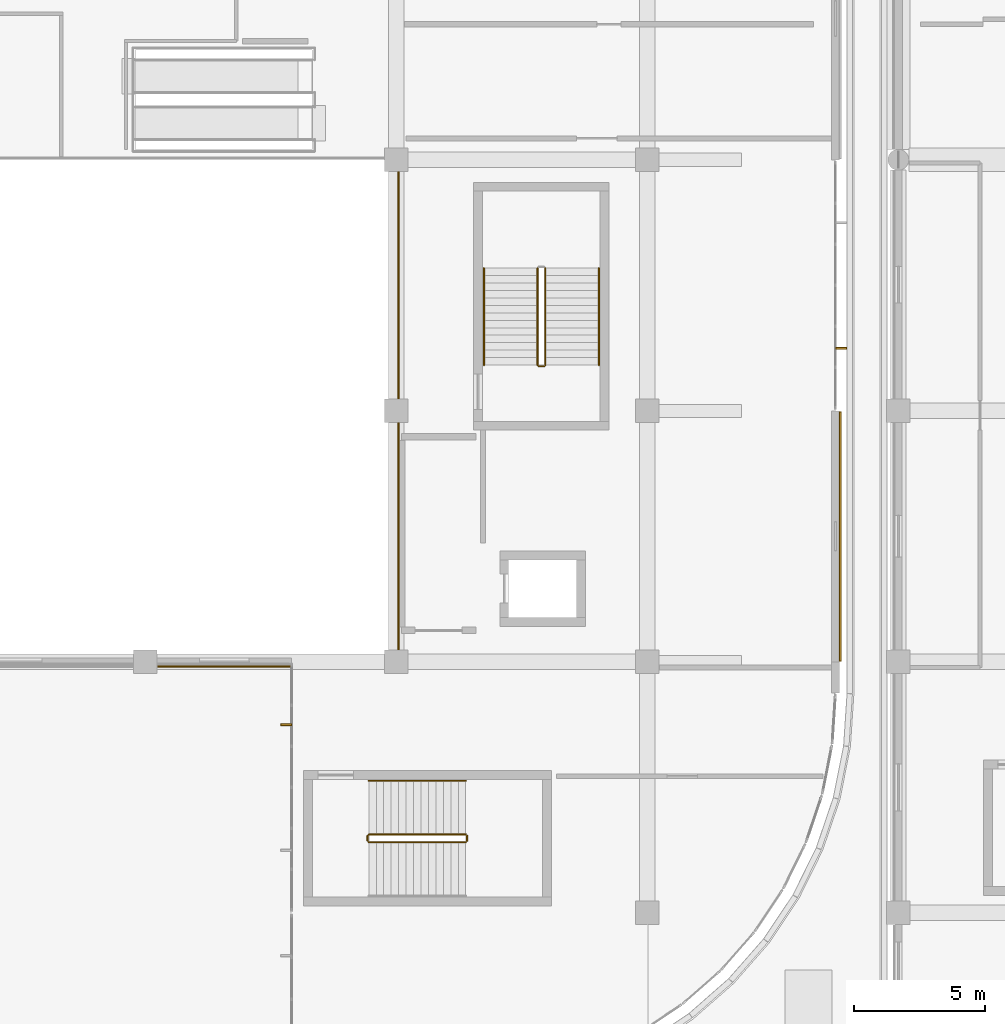
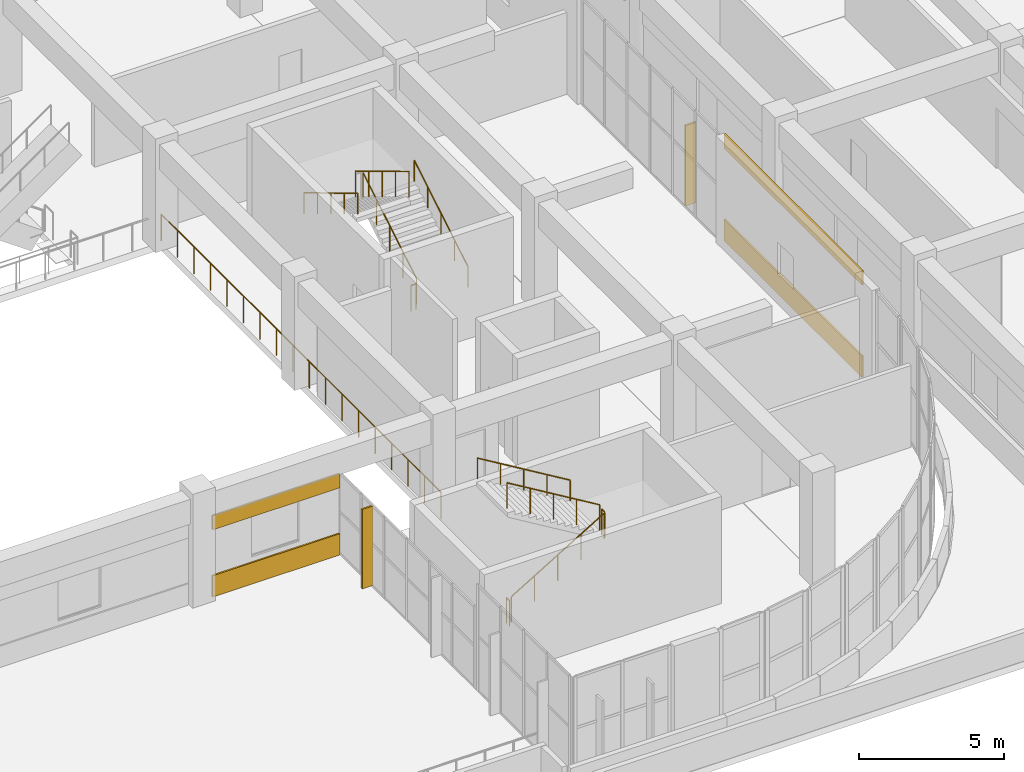
# One storey, part 78 of 96: 11 railings, 4 coverings, 2 shading devices.
"""IFC4 building model written with IfcOpenShell, lengths in metres."""

import ifcopenshell
import ifcopenshell.guid

model = None  # the IFC model being written
_history = None  # IfcOwnerHistory: only IFC2X3 demands one
_inside = {}  # id of a spatial element -> (the spatial element, [elements in it])
_under = {}  # id of a project, library or spatial element -> (it, [spatial elements below it])
_declared = {}  # id of a project -> (the project, [libraries it declares])
_typed = {}  # id of a type object -> (the type object, [elements of that type])
_made_of = {}  # id of a material, layer set ... -> (it, [elements and type objects made of it])


def new_model(schema):
    """Start an empty IFC model of exactly this schema.

    Asked for "IFC4X3", IfcOpenShell would pick the latest addendum, in which some entities
    have other attributes; the version numbers below select the first issue.
    IFC2X3 requires an IfcOwnerHistory on every rooted entity: one is made here for all.
    """
    global model, _history
    if schema == "IFC4X3":
        model = ifcopenshell.file(schema_version=(4, 3, 0, 0))
    else:
        model = ifcopenshell.file(schema=schema)
    _inside.clear()
    _under.clear()
    _declared.clear()
    _typed.clear()
    _made_of.clear()
    _history = None
    if model.schema == "IFC2X3":
        org = make("IfcOrganization", Name="unknown")
        user = make(
            "IfcPersonAndOrganization",
            ThePerson=make("IfcPerson", FamilyName="unknown"),
            TheOrganization=org,
        )
        app = make(
            "IfcApplication",
            ApplicationDeveloper=org,
            Version="unknown",
            ApplicationFullName="unknown",
            ApplicationIdentifier="unknown",
        )
        _history = make(
            "IfcOwnerHistory",
            OwningUser=user,
            OwningApplication=app,
            ChangeAction="ADDED",
            CreationDate=0,
        )
    return model


def make(cls, **values):
    """One entity of the class cls with the attributes given. An attribute that is None is left unset."""
    return model.create_entity(
        cls, **{name: value for name, value in values.items() if value is not None}
    )


def rooted(cls, **values):
    """An entity with a GlobalId (a new one), such as an element, a storey or a relation."""
    return make(cls, GlobalId=ifcopenshell.guid.new(), OwnerHistory=_history, **values)


def si_unit(unit_type, name, prefix=None):
    """IfcSIUnit, for example si_unit("LENGTHUNIT", "METRE", prefix="MILLI")."""
    return make("IfcSIUnit", UnitType=unit_type, Prefix=prefix, Name=name)


def assignment(units):
    """IfcUnitAssignment: the units of a project."""
    return None if units is None else make("IfcUnitAssignment", Units=units)


def point(xyz):
    """IfcCartesianPoint."""
    return None if xyz is None else make("IfcCartesianPoint", Coordinates=xyz)


def direction(xyz):
    """IfcDirection."""
    return None if xyz is None else make("IfcDirection", DirectionRatios=xyz)


def frame(location, z_axis=None, x_axis=None):
    """IfcAxis2Placement3D, a coordinate frame: its origin and axes. An axis left out is left unset."""
    return make(
        "IfcAxis2Placement3D",
        Location=point(location),
        Axis=direction(z_axis),
        RefDirection=direction(x_axis),
    )


def frame_2d(location, x_axis=None):
    """IfcAxis2Placement2D, a coordinate frame in the plane: its origin and x axis."""
    return make(
        "IfcAxis2Placement2D", Location=point(location), RefDirection=direction(x_axis)
    )


def origin():
    """The frame at (0, 0, 0) with its axes left unset."""
    return frame((0.0, 0.0, 0.0))


def origin_2d():
    """The frame at (0, 0) in the plane with its x axis left unset."""
    return frame_2d((0.0, 0.0))


def place(relative_to, where):
    """IfcLocalPlacement: puts the frame where relative to a parent placement (None: the world)."""
    return make(
        "IfcLocalPlacement", PlacementRelTo=relative_to, RelativePlacement=where
    )


def context(
    kind, dimensions, precision=None, world=None, true_north=None, identifier=None
):
    """IfcGeometricRepresentationContext, for example the 3D "Model" context."""
    return make(
        "IfcGeometricRepresentationContext",
        ContextIdentifier=identifier,
        ContextType=kind,
        CoordinateSpaceDimension=dimensions,
        Precision=precision,
        WorldCoordinateSystem=world,
        TrueNorth=true_north,
    )


def subcontext(parent, identifier, kind, view, scale=None):
    """IfcGeometricRepresentationSubContext, for example "Body" below "Model"."""
    return make(
        "IfcGeometricRepresentationSubContext",
        ContextIdentifier=identifier,
        ContextType=kind,
        ParentContext=parent,
        TargetScale=scale,
        TargetView=view,
    )


def project(units=None, contexts=None):
    """IfcProject with its units and contexts."""
    return rooted(
        "IfcProject",
        Name="project",
        RepresentationContexts=contexts,
        UnitsInContext=assignment(units),
    )


def spatial(cls, under=None, at=None, **own):
    """A site, building, storey or space (cls), placed at a placement, below another one or the project."""
    s = rooted(cls, ObjectPlacement=at, **own)
    if under is not None:
        _under.setdefault(under.id(), (under, []))[1].append(s)
    return s


def profile(cls, at=None, kind="AREA", **sizes):
    """A parametric profile (cls). Its sizes go by their IFC names, for example OverallWidth=200.0."""
    return make(cls, ProfileType=kind, Position=at, **sizes)


def rectangle(**sizes):
    """IfcRectangleProfileDef."""
    return profile("IfcRectangleProfileDef", **sizes)


def circle(**sizes):
    """IfcCircleProfileDef."""
    return profile("IfcCircleProfileDef", **sizes)


def extrude(swept, where, along, depth):
    """IfcExtrudedAreaSolid: the profile swept, set in the frame where, extruded along a direction by depth."""
    return make(
        "IfcExtrudedAreaSolid",
        SweptArea=swept,
        Position=where,
        ExtrudedDirection=direction(along),
        Depth=depth,
    )


def shape(context_of_items, identifier, shape_type, items):
    """IfcShapeRepresentation: the items that make up one representation, for example the "Body"."""
    return make(
        "IfcShapeRepresentation",
        ContextOfItems=context_of_items,
        RepresentationIdentifier=identifier,
        RepresentationType=shape_type,
        Items=items,
    )


def material(Name=None, Category=None):
    """IfcMaterial."""
    return make("IfcMaterial", Name=Name, Category=Category)


def layer(
    of_material, thickness, ventilated=None, Name=None, Category=None, Priority=None
):
    """IfcMaterialLayer: one layer of a wall or slab, of a material (None: an air gap)."""
    return make(
        "IfcMaterialLayer",
        Material=of_material,
        LayerThickness=thickness,
        IsVentilated=ventilated,
        Name=Name,
        Category=Category,
        Priority=Priority,
    )


def layer_set(layers, Name=None):
    """IfcMaterialLayerSet."""
    return make("IfcMaterialLayerSet", MaterialLayers=layers, LayerSetName=Name)


def made_of(thing, what):
    """Note that an element or type object is made of a material, layer set ...; save() writes the relation."""
    if what is not None:
        _made_of.setdefault(what.id(), (what, []))[1].append(thing)
    return thing


def type_object(cls, material=None, **own):
    """A type object (cls), such as IfcWallType, which elements share."""
    return made_of(rooted(cls, **own), material)


def element(
    cls,
    number,
    at=None,
    inside=None,
    cuts=None,
    type_object=None,
    material=None,
    context=None,
    identifier="Body",
    shape_type=None,
    held_by="IfcProductDefinitionShape",
    body=None,
    shapes=None,
    **own,
):
    """One element of the class cls, such as IfcWall. Its Tag is "e" and its number.

    at: its placement. inside: the storey or other place that contains it. cuts: it is an
    opening in that element (IfcRelVoidsElement). A single representation is given by context,
    identifier, shape_type and body (its items); several are given by shapes. held_by: the class
    of the entity that holds the representations. save() writes the other relations.
    """
    e = rooted(cls, Tag="e%d" % number, ObjectPlacement=at, **own)
    if body is not None:
        shapes = [shape(context, identifier, shape_type, body)]
    if shapes is not None:
        e.Representation = make(held_by, Representations=shapes)
    if inside is not None:
        _inside.setdefault(inside.id(), (inside, []))[1].append(e)
    if cuts is not None:
        rooted(
            "IfcRelVoidsElement", RelatingBuildingElement=cuts, RelatedOpeningElement=e
        )
    if type_object is not None:
        _typed.setdefault(type_object.id(), (type_object, []))[1].append(e)
    return made_of(e, material)


def aggregate(whole, parts):
    """IfcRelAggregates: a whole, such as a stair, and the parts it consists of."""
    return rooted("IfcRelAggregates", RelatingObject=whole, RelatedObjects=parts)


def save(model, path):
    """Write the relations noted so far, then the file.

    IfcRelAggregates (storeys below a building ...), IfcRelContainedInSpatialStructure (elements
    in a storey), IfcRelDefinesByType, IfcRelAssociatesMaterial and IfcRelDeclares: one each for
    every whole, place, type object, material and project.
    """
    for whole, parts in _under.values():
        aggregate(whole, parts)
    for where, things in _inside.values():
        rooted(
            "IfcRelContainedInSpatialStructure",
            RelatedElements=things,
            RelatingStructure=where,
        )
    for kind, things in _typed.values():
        rooted("IfcRelDefinesByType", RelatedObjects=things, RelatingType=kind)
    for what, things in _made_of.values():
        rooted("IfcRelAssociatesMaterial", RelatedObjects=things, RelatingMaterial=what)
    for by, libraries in _declared.values():
        rooted("IfcRelDeclares", RelatingContext=by, RelatedDefinitions=libraries)
    model.write(path)


model = new_model("IFC4")

# Units and contexts
model_context = context("Model", 3, precision=1e-05, world=origin(), true_north=direction((0.0, 1.0)))
body_context = subcontext(model_context, "Body", "Model", "MODEL_VIEW")
ifc_project = project(units=[si_unit("LENGTHUNIT", "METRE"), si_unit("AREAUNIT", "SQUARE_METRE"), si_unit("VOLUMEUNIT", "CUBIC_METRE"), si_unit("PLANEANGLEUNIT", "RADIAN"), si_unit("MASSUNIT", "GRAM", prefix="KILO")], contexts=[model_context])

# Site, building, storey
site_placement = place(None, origin())
site = spatial("IfcSite", under=ifc_project, at=site_placement, CompositionType="ELEMENT")
building_placement = place(site_placement, origin())
building = spatial("IfcBuilding", under=site, at=building_placement, Name="Cendralis Terraced Arcade", CompositionType="ELEMENT")
storey_placement = place(building_placement, frame((0.0, 0.0, 10.199951171875)))
storey = spatial("IfcBuildingStorey", under=building, at=storey_placement, Name="L02", CompositionType="ELEMENT", Elevation=10.199951171875)

# Coverings
ifc_material_1 = material(Name="Precast concrete f'c 40 MPa", Category="concrete")
ifc_layer = layer(ifc_material_1, 0.06494140625, Name="COV-CLAD-GRC-65")
ifc_layer_set = layer_set([ifc_layer], Name="Precast concrete f'c 40 MPa")
covering_type = type_object("IfcCoveringType", Name="COV-CLAD-GRC-65", PredefinedType="CLADDING", material=ifc_layer_set)
covering_1_placement = place(storey_placement, frame((41.424072265625, 19.02001953125, 0.0), z_axis=(0.0, 0.0, 1.0), x_axis=(-1.0, 0.0, 0.0)))
element("IfcCovering", 1, at=covering_1_placement, inside=storey, type_object=covering_type, Name="Banded Precast Stone Spandrel Cladding L02-309", PredefinedType="CLADDING", context=body_context, shape_type="SweptSolid", body=[
    extrude(rectangle(XDim=5.092041015625, YDim=0.06494140625, at=origin_2d()), origin(), (0.0, 0.0, 1.0), 0.89990234375),
])
covering_2_placement = place(storey_placement, frame((41.424072265625, 19.02001953125, 2.8349609375), z_axis=(0.0, 0.0, 1.0), x_axis=(-1.0, 0.0, 0.0)))
element("IfcCovering", 2, at=covering_2_placement, inside=storey, type_object=covering_type, Name="Banded Precast Stone Lintel Cladding L02-310", PredefinedType="CLADDING", context=body_context, shape_type="SweptSolid", body=[
    extrude(rectangle(XDim=5.092041015625, YDim=0.06494140625, at=origin_2d()), origin(), (0.0, 0.0, 1.0), 0.60009765625),
])
covering_3_placement = place(storey_placement, frame((64.97998046875, 24.0, 0.0), z_axis=(0.0, 0.0, 1.0), x_axis=(0.0, -1.0, 0.0)))
element("IfcCovering", 3, at=covering_3_placement, inside=storey, type_object=covering_type, Name="Banded Precast Stone Spandrel Cladding L02-329", PredefinedType="CLADDING", context=body_context, shape_type="SweptSolid", body=[
    extrude(rectangle(XDim=9.5400390625, YDim=0.06494140625, at=origin_2d()), origin(), (0.0, 0.0, 1.0), 0.89990234375),
])
covering_4_placement = place(storey_placement, frame((64.97998046875, 24.0, 3.89501953125), z_axis=(0.0, 0.0, 1.0), x_axis=(0.0, -1.0, 0.0)))
element("IfcCovering", 4, at=covering_4_placement, inside=storey, type_object=covering_type, Name="Banded Precast Stone Lintel Cladding L02-330", PredefinedType="CLADDING", context=body_context, shape_type="SweptSolid", body=[
    extrude(rectangle(XDim=9.5400390625, YDim=0.06494140625, at=origin_2d()), origin(), (0.0, 0.0, 1.0), 0.60009765625),
])

# Railings
ifc_material_2 = material(Name="Brushed stainless steel AISI 316", Category="steel")
railing_type_1 = type_object("IfcRailingType", Name="RL-STAIR-GUARD-1100", PredefinedType="GUARDRAIL", material=ifc_material_2)
railing_1_placement = place(storey_placement, frame((46.949951171875, 12.300048828125, 0.17138671875)))
element("IfcRailing", 5, at=railing_1_placement, inside=storey, type_object=railing_type_1, Name="L02 ST-03 stair guard 1", PredefinedType="GUARDRAIL", context=body_context, shape_type="SweptSolid", body=[
    extrude(circle(Radius=0.02392578125, at=origin_2d()), frame((0.0, 0.0, 1.076171875), z_axis=(0.856909459561, 0.0, 0.515466951525), x_axis=(0.0, 1.0, 0.0)), (0.0, 0.0, 1.0), 4.32373046875),
    extrude(circle(Radius=0.02099609375, at=origin_2d()), origin(), (0.0, 0.0, 1.0), 1.052001953125),
    extrude(circle(Radius=0.02099609375, at=origin_2d()), frame((0.92626953125, 0.0, 0.55712890625)), (0.0, 0.0, 1.0), 1.052001953125),
    extrude(circle(Radius=0.02099609375, at=origin_2d()), frame((1.8525390625, 0.0, 1.1142578125)), (0.0, 0.0, 1.0), 1.052001953125),
    extrude(circle(Radius=0.02099609375, at=origin_2d()), frame((2.77880859375, 0.0, 1.671630859375)), (0.0, 0.0, 1.0), 1.052001953125),
    extrude(circle(Radius=0.02099609375, at=origin_2d()), frame((3.705078125, 0.0, 2.228759765625)), (0.0, 0.0, 1.0), 1.052001953125),
])
railing_2_placement = place(storey_placement, frame((50.705078125, 12.35009765625, 2.400146484375)))
element("IfcRailing", 6, at=railing_2_placement, inside=storey, type_object=railing_type_1, Name="L02 ST-03 stair guard 2", PredefinedType="GUARDRAIL", context=body_context, shape_type="SweptSolid", body=[
    extrude(circle(Radius=0.02392578125, at=origin_2d()), frame((0.0, 0.0, 1.076171875), z_axis=(0.0, 1.0, 0.0), x_axis=(-1.0, 0.0, 0.0)), (0.0, 0.0, 1.0), 0.199951171875),
    extrude(circle(Radius=0.02099609375, at=origin_2d()), origin(), (0.0, 0.0, 1.0), 1.052001953125),
    extrude(circle(Radius=0.02099609375, at=origin_2d()), frame((0.0, 0.199951171875, 0.0)), (0.0, 0.0, 1.0), 1.052001953125),
])
railing_3_placement = place(storey_placement, frame((50.655029296875, 12.60009765625, 2.571533203125)))
element("IfcRailing", 7, at=railing_3_placement, inside=storey, type_object=railing_type_1, Name="L02 ST-03 stair guard 3", PredefinedType="GUARDRAIL", context=body_context, shape_type="SweptSolid", body=[
    extrude(circle(Radius=0.02392578125, at=origin_2d()), frame((0.0, 0.0, 1.076171875), z_axis=(-0.856934400257, 0.0, 0.515425487977), x_axis=(0.0, -1.0, 0.0)), (0.0, 0.0, 1.0), 4.32373046875),
    extrude(circle(Radius=0.02099609375, at=origin_2d()), origin(), (0.0, 0.0, 1.0), 1.052001953125),
    extrude(circle(Radius=0.02099609375, at=origin_2d()), frame((-0.92626953125, 0.0, 0.55712890625)), (0.0, 0.0, 1.0), 1.052001953125),
    extrude(circle(Radius=0.02099609375, at=origin_2d()), frame((-1.8525390625, 0.0, 1.1142578125)), (0.0, 0.0, 1.0), 1.052001953125),
    extrude(circle(Radius=0.02099609375, at=origin_2d()), frame((-2.77880859375, 0.0, 1.67138671875)), (0.0, 0.0, 1.0), 1.052001953125),
    extrude(circle(Radius=0.02099609375, at=origin_2d()), frame((-3.705078125, 0.0, 2.228515625)), (0.0, 0.0, 1.0), 1.052001953125),
])
railing_4_placement = place(storey_placement, frame((46.89990234375, 12.35009765625, 0.0)))
element("IfcRailing", 8, at=railing_4_placement, inside=storey, type_object=railing_type_1, Name="L02 ST-03 stair guard 4", PredefinedType="GUARDRAIL", context=body_context, shape_type="SweptSolid", body=[
    extrude(circle(Radius=0.02392578125, at=origin_2d()), frame((0.0, 0.0, 1.076171875), z_axis=(0.0, 1.0, 0.0), x_axis=(-1.0, 0.0, 0.0)), (0.0, 0.0, 1.0), 0.199951171875),
    extrude(circle(Radius=0.02099609375, at=origin_2d()), origin(), (0.0, 0.0, 1.0), 1.052001953125),
    extrude(circle(Radius=0.02099609375, at=origin_2d()), frame((0.0, 0.199951171875, 0.0)), (0.0, 0.0, 1.0), 1.052001953125),
])
railing_5_placement = place(storey_placement, frame((53.699951171875, 30.550048828125, 0.17138671875)))
element("IfcRailing", 9, at=railing_5_placement, inside=storey, type_object=railing_type_1, Name="L02 ST-04 stair guard 1", PredefinedType="GUARDRAIL", context=body_context, shape_type="SweptSolid", body=[
    extrude(circle(Radius=0.02392578125, at=origin_2d()), frame((0.0, 0.0, 1.076171875), z_axis=(0.0, 0.856894455432, 0.515491893485), x_axis=(-1.0, 0.0, 0.0)), (0.0, 0.0, 1.0), 4.323486328125),
    extrude(circle(Radius=0.02099609375, at=origin_2d()), origin(), (0.0, 0.0, 1.0), 1.052001953125),
    extrude(circle(Radius=0.02099609375, at=origin_2d()), frame((0.0, 0.92626953125, 0.55712890625)), (0.0, 0.0, 1.0), 1.052001953125),
    extrude(circle(Radius=0.02099609375, at=origin_2d()), frame((0.0, 1.8525390625, 1.1142578125)), (0.0, 0.0, 1.0), 1.052001953125),
    extrude(circle(Radius=0.02099609375, at=origin_2d()), frame((0.0, 2.778564453125, 1.671630859375)), (0.0, 0.0, 1.0), 1.052001953125),
    extrude(circle(Radius=0.02099609375, at=origin_2d()), frame((0.0, 3.704833984375, 2.228759765625)), (0.0, 0.0, 1.0), 1.052001953125),
])
railing_6_placement = place(storey_placement, frame((53.39990234375, 34.2548828125, 2.571533203125)))
element("IfcRailing", 10, at=railing_6_placement, inside=storey, type_object=railing_type_1, Name="L02 ST-04 stair guard 3", PredefinedType="GUARDRAIL", context=body_context, shape_type="SweptSolid", body=[
    extrude(circle(Radius=0.02392578125, at=origin_2d()), frame((0.0, 0.0, 1.076171875), z_axis=(0.0, -0.856919398105, 0.515450429384), x_axis=(1.0, 0.0, 0.0)), (0.0, 0.0, 1.0), 4.323486328125),
    extrude(circle(Radius=0.02099609375, at=origin_2d()), origin(), (0.0, 0.0, 1.0), 1.052001953125),
    extrude(circle(Radius=0.02099609375, at=origin_2d()), frame((0.0, -0.92626953125, 0.55712890625)), (0.0, 0.0, 1.0), 1.052001953125),
    extrude(circle(Radius=0.02099609375, at=origin_2d()), frame((0.0, -1.8525390625, 1.1142578125)), (0.0, 0.0, 1.0), 1.052001953125),
    extrude(circle(Radius=0.02099609375, at=origin_2d()), frame((0.0, -2.778564453125, 1.67138671875)), (0.0, 0.0, 1.0), 1.052001953125),
    extrude(circle(Radius=0.02099609375, at=origin_2d()), frame((0.0, -3.704833984375, 2.228515625)), (0.0, 0.0, 1.0), 1.052001953125),
])
railing_7_placement = place(storey_placement, frame((53.64990234375, 30.5, 0.0)))
element("IfcRailing", 11, at=railing_7_placement, inside=storey, type_object=railing_type_1, Name="L02 ST-04 stair guard 4", PredefinedType="GUARDRAIL", context=body_context, shape_type="SweptSolid", body=[
    extrude(circle(Radius=0.02392578125, at=origin_2d()), frame((0.0, 0.0, 1.076171875), z_axis=(-1.0, 0.0, 0.0), x_axis=(0.0, -1.0, 0.0)), (0.0, 0.0, 1.0), 0.199951171875),
    extrude(circle(Radius=0.02099609375, at=origin_2d()), origin(), (0.0, 0.0, 1.0), 1.052001953125),
    extrude(circle(Radius=0.02099609375, at=origin_2d()), frame((-0.199951171875, 0.0, 0.0)), (0.0, 0.0, 1.0), 1.052001953125),
])
railing_type_2 = type_object("IfcRailingType", Name="RL-STAIR-HAND-900", PredefinedType="HANDRAIL", material=ifc_material_2)
railing_8_placement = place(storey_placement, frame((50.655029296875, 14.64990234375, 2.571533203125)))
element("IfcRailing", 12, at=railing_8_placement, inside=storey, type_object=railing_type_2, Name="L02 ST-03 stair handrail 2", PredefinedType="HANDRAIL", context=body_context, shape_type="SweptSolid", body=[
    extrude(circle(Radius=0.02392578125, at=origin_2d()), frame((0.0, 0.0, 0.8759765625), z_axis=(-0.856934400257, 0.0, 0.515425487977), x_axis=(0.0, -1.0, 0.0)), (0.0, 0.0, 1.0), 4.32373046875),
    extrude(circle(Radius=0.02099609375, at=origin_2d()), origin(), (0.0, 0.0, 1.0), 0.851806640625),
    extrude(circle(Radius=0.02099609375, at=origin_2d()), frame((-0.92626953125, 0.0, 0.55712890625)), (0.0, 0.0, 1.0), 0.851806640625),
    extrude(circle(Radius=0.02099609375, at=origin_2d()), frame((-1.8525390625, 0.0, 1.1142578125)), (0.0, 0.0, 1.0), 0.851806640625),
    extrude(circle(Radius=0.02099609375, at=origin_2d()), frame((-2.77880859375, 0.0, 1.67138671875)), (0.0, 0.0, 1.0), 0.851806640625),
    extrude(circle(Radius=0.02099609375, at=origin_2d()), frame((-3.705078125, 0.0, 2.228515625)), (0.0, 0.0, 1.0), 0.851806640625),
])
railing_9_placement = place(storey_placement, frame((55.75, 30.550048828125, 0.17138671875)))
element("IfcRailing", 13, at=railing_9_placement, inside=storey, type_object=railing_type_2, Name="L02 ST-04 stair handrail 1", PredefinedType="HANDRAIL", context=body_context, shape_type="SweptSolid", body=[
    extrude(circle(Radius=0.02392578125, at=origin_2d()), frame((0.0, 0.0, 0.8759765625), z_axis=(0.0, 0.856894455432, 0.515491893485), x_axis=(-1.0, 0.0, 0.0)), (0.0, 0.0, 1.0), 4.323486328125),
    extrude(circle(Radius=0.02099609375, at=origin_2d()), origin(), (0.0, 0.0, 1.0), 0.851806640625),
    extrude(circle(Radius=0.02099609375, at=origin_2d()), frame((0.0, 0.92626953125, 0.55712890625)), (0.0, 0.0, 1.0), 0.851806640625),
    extrude(circle(Radius=0.02099609375, at=origin_2d()), frame((0.0, 1.8525390625, 1.1142578125)), (0.0, 0.0, 1.0), 0.851806640625),
    extrude(circle(Radius=0.02099609375, at=origin_2d()), frame((0.0, 2.778564453125, 1.671630859375)), (0.0, 0.0, 1.0), 0.851806640625),
    extrude(circle(Radius=0.02099609375, at=origin_2d()), frame((0.0, 3.704833984375, 2.228759765625)), (0.0, 0.0, 1.0), 0.851806640625),
])
railing_10_placement = place(storey_placement, frame((51.35009765625, 34.2548828125, 2.571533203125)))
element("IfcRailing", 14, at=railing_10_placement, inside=storey, type_object=railing_type_2, Name="L02 ST-04 stair handrail 2", PredefinedType="HANDRAIL", context=body_context, shape_type="SweptSolid", body=[
    extrude(circle(Radius=0.02392578125, at=origin_2d()), frame((0.0, 0.0, 0.8759765625), z_axis=(0.0, -0.856919398105, 0.515450429384), x_axis=(1.0, 0.0, 0.0)), (0.0, 0.0, 1.0), 4.323486328125),
    extrude(circle(Radius=0.02099609375, at=origin_2d()), origin(), (0.0, 0.0, 1.0), 0.851806640625),
    extrude(circle(Radius=0.02099609375, at=origin_2d()), frame((0.0, -0.92626953125, 0.55712890625)), (0.0, 0.0, 1.0), 0.851806640625),
    extrude(circle(Radius=0.02099609375, at=origin_2d()), frame((0.0, -1.8525390625, 1.1142578125)), (0.0, 0.0, 1.0), 0.851806640625),
    extrude(circle(Radius=0.02099609375, at=origin_2d()), frame((0.0, -2.778564453125, 1.67138671875)), (0.0, 0.0, 1.0), 0.851806640625),
    extrude(circle(Radius=0.02099609375, at=origin_2d()), frame((0.0, -3.704833984375, 2.228515625)), (0.0, 0.0, 1.0), 0.851806640625),
])
railing_type_3 = type_object("IfcRailingType", Name="RL-VOID-BAL-1150", PredefinedType="BALUSTRADE", material=ifc_material_2)
railing_11_placement = place(storey_placement, frame((48.080078125, 19.1201171875, 0.0)))
element("IfcRailing", 15, at=railing_11_placement, inside=storey, type_object=railing_type_3, Name="Atrium and Arcade Gallery Balustrade L02-048", PredefinedType="BALUSTRADE", context=body_context, shape_type="SweptSolid", body=[
    extrude(circle(Radius=0.02392578125, at=origin_2d()), frame((0.0, 0.0, 1.1259765625), z_axis=(0.0, 1.0, 0.0), x_axis=(-1.0, 0.0, 0.0)), (0.0, 0.0, 1.0), 19.35986328125),
    extrude(circle(Radius=0.02099609375, at=origin_2d()), origin(), (0.0, 0.0, 1.0), 1.101806640625),
    extrude(circle(Radius=0.02099609375, at=origin_2d()), frame((0.0, 1.138916015625, 0.0)), (0.0, 0.0, 1.0), 1.101806640625),
    extrude(circle(Radius=0.02099609375, at=origin_2d()), frame((0.0, 2.277587890625, 0.0)), (0.0, 0.0, 1.0), 1.101806640625),
    extrude(circle(Radius=0.02099609375, at=origin_2d()), frame((0.0, 3.41650390625, 0.0)), (0.0, 0.0, 1.0), 1.101806640625),
    extrude(circle(Radius=0.02099609375, at=origin_2d()), frame((0.0, 4.55517578125, 0.0)), (0.0, 0.0, 1.0), 1.101806640625),
    extrude(circle(Radius=0.02099609375, at=origin_2d()), frame((0.0, 5.694091796875, 0.0)), (0.0, 0.0, 1.0), 1.101806640625),
    extrude(circle(Radius=0.02099609375, at=origin_2d()), frame((0.0, 6.8330078125, 0.0)), (0.0, 0.0, 1.0), 1.101806640625),
    extrude(circle(Radius=0.02099609375, at=origin_2d()), frame((0.0, 7.9716796875, 0.0)), (0.0, 0.0, 1.0), 1.101806640625),
    extrude(circle(Radius=0.02099609375, at=origin_2d()), frame((0.0, 9.110595703125, 0.0)), (0.0, 0.0, 1.0), 1.101806640625),
    extrude(circle(Radius=0.02099609375, at=origin_2d()), frame((0.0, 10.249267578125, 0.0)), (0.0, 0.0, 1.0), 1.101806640625),
    extrude(circle(Radius=0.02099609375, at=origin_2d()), frame((0.0, 11.38818359375, 0.0)), (0.0, 0.0, 1.0), 1.101806640625),
    extrude(circle(Radius=0.02099609375, at=origin_2d()), frame((0.0, 12.52685546875, 0.0)), (0.0, 0.0, 1.0), 1.101806640625),
    extrude(circle(Radius=0.02099609375, at=origin_2d()), frame((0.0, 13.665771484375, 0.0)), (0.0, 0.0, 1.0), 1.101806640625),
    extrude(circle(Radius=0.02099609375, at=origin_2d()), frame((0.0, 14.8046875, 0.0)), (0.0, 0.0, 1.0), 1.101806640625),
    extrude(circle(Radius=0.02099609375, at=origin_2d()), frame((0.0, 15.943359375, 0.0)), (0.0, 0.0, 1.0), 1.101806640625),
    extrude(circle(Radius=0.02099609375, at=origin_2d()), frame((0.0, 17.082275390625, 0.0)), (0.0, 0.0, 1.0), 1.101806640625),
    extrude(circle(Radius=0.02099609375, at=origin_2d()), frame((0.0, 18.220947265625, 0.0)), (0.0, 0.0, 1.0), 1.101806640625),
    extrude(circle(Radius=0.02099609375, at=origin_2d()), frame((0.0, 19.35986328125, 0.0)), (0.0, 0.0, 1.0), 1.101806640625),
])

# Shading devices
ifc_material_3 = material(Name="Anodised aluminium EN AW-6063 T6", Category="aluminium")
shading_device_type = type_object("IfcShadingDeviceType", Name="SHD-FIN-420", PredefinedType="USERDEFINED", material=ifc_material_3)
shading_device_1_placement = place(storey_placement, frame((43.784912109375, 16.800048828125, 0.050048828125), z_axis=(0.0, 0.0, 1.0), x_axis=(0.0, 1.0, 0.0)))
element("IfcShadingDevice", 16, at=shading_device_1_placement, inside=storey, type_object=shading_device_type, Name="Parametric Vertical Solar Fin FIN-L02-078", ObjectType="FIN", PredefinedType="USERDEFINED", context=body_context, shape_type="SweptSolid", body=[
    extrude(rectangle(XDim=0.074951171875, YDim=0.419921875, at=origin_2d()), origin(), (0.0, 0.0, 1.0), 3.35498046875),
])
shading_device_2_placement = place(storey_placement, frame((65.014892578125, 31.199951171875, 0.050048828125), z_axis=(0.0, 0.0, 1.0), x_axis=(0.0, -1.0, 0.0)))
element("IfcShadingDevice", 17, at=shading_device_2_placement, inside=storey, type_object=shading_device_type, Name="Parametric Vertical Solar Fin FIN-L02-094", ObjectType="FIN", PredefinedType="USERDEFINED", context=body_context, shape_type="SweptSolid", body=[
    extrude(rectangle(XDim=0.074951171875, YDim=0.419921875, at=origin_2d()), origin(), (0.0, 0.0, 1.0), 3.39990234375),
])

save(model, "model.ifc")
